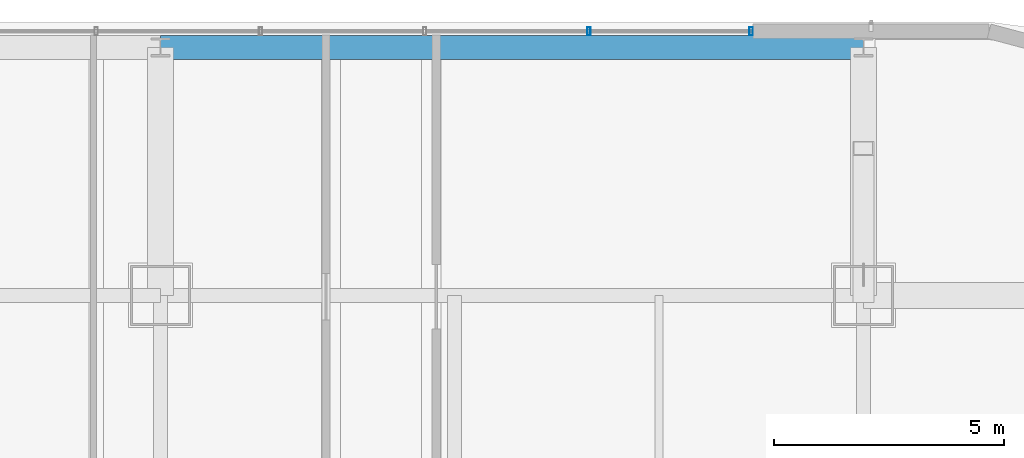
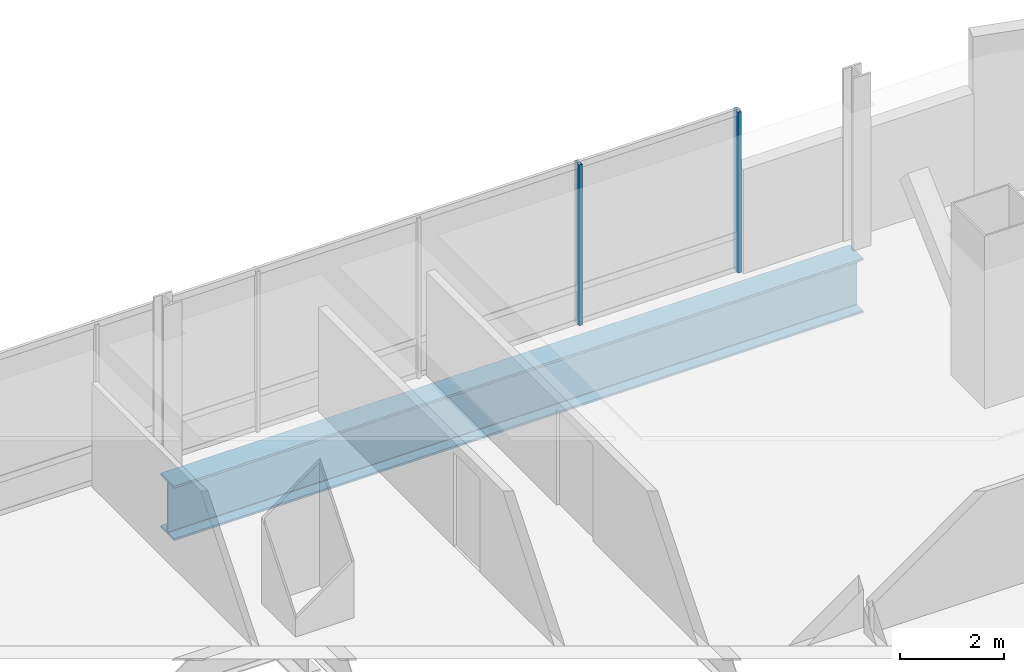
# One storey, part 31 of 51: 2 members, 1 beam, 1 element without a shape of its own.
"""IFC4 building model written with IfcOpenShell, lengths in metres."""

from ifc_helpers import new_model, si_unit, direction, frame, origin, origin_2d, place, context, subcontext, project, spatial, hollow_rectangle, i_section, extrude, material, material_profile, profile_set, type_object, element, aggregate, save


model = new_model("IFC4")

# Units and contexts
model_context = context("Model", 3, precision=1e-05, world=origin(), true_north=direction((0.0, 1.0)))
body_context = subcontext(model_context, "Body", "Model", "MODEL_VIEW")
ifc_project = project(units=[si_unit("LENGTHUNIT", "METRE"), si_unit("AREAUNIT", "SQUARE_METRE"), si_unit("VOLUMEUNIT", "CUBIC_METRE"), si_unit("PLANEANGLEUNIT", "RADIAN"), si_unit("MASSUNIT", "GRAM", prefix="KILO")], contexts=[model_context])

# Site, building, storey
site_placement = place(None, origin())
site = spatial("IfcSite", under=ifc_project, at=site_placement, CompositionType="ELEMENT")
building_placement = place(site_placement, origin())
building = spatial("IfcBuilding", under=site, at=building_placement, Name="Punatoya Terracotta Tower", CompositionType="ELEMENT")
storey_placement = place(building_placement, frame((0.0, 0.0, 279.75)))
storey = spatial("IfcBuildingStorey", under=building, at=storey_placement, Name="L66", CompositionType="ELEMENT", Elevation=279.75)

# Beam
ifc_material_1 = material(Name="Steel S460", Category="steel")
ifc_material_profile_1 = material_profile(ifc_material_1, i_section(OverallWidth=0.52001953125, OverallDepth=1.280029296875, WebThickness=0.031982421875, FlangeThickness=0.050048828125, FilletRadius=0.01806640625, at=origin_2d()))
ifc_profile_set_1 = profile_set([ifc_material_profile_1], Name="Steel S460")
beam_type = type_object("IfcBeamType", Name="BM-TG-NCK", PredefinedType="BEAM", material=ifc_profile_set_1)
beam_placement = place(storey_placement, frame((3.800048828125, 22.89990234375, -0.840087890625), z_axis=(1.0, 0.0, 0.0), x_axis=(0.0, 1.0, 0.0)))
element("IfcBeam", 1, at=beam_placement, inside=storey, type_object=beam_type, Name="BM-L66-PER-N3", PredefinedType="BEAM", context=body_context, shape_type="SweptSolid", body=[
    extrude(i_section(OverallWidth=0.52001953125, OverallDepth=1.280029296875, WebThickness=0.031982421875, FlangeThickness=0.050048828125, FilletRadius=0.01806640625, at=origin_2d()), origin(), (0.0, 0.0, 1.0), 15.300048828125),
])

# Curtain wall, members
ifc_material_2 = material(Name="Aluminium 6063-T6 + Double Low-E Glass", Category="aluminium")
curtain_wall_type = type_object("IfcCurtainWallType", Name="CW-M3", PredefinedType="NOTDEFINED", material=ifc_material_2)
curtain_wall_placement = place(storey_placement, origin())
curtain_wall = element("IfcCurtainWall", 2, at=curtain_wall_placement, inside=storey, type_object=curtain_wall_type, Name="L66 Curtain Wall CW-L66-N09-1", PredefinedType="NOTDEFINED")
ifc_material_3 = material(Name="Aluminium 6063-T6", Category="aluminium")
ifc_material_profile_2 = material_profile(ifc_material_3, hollow_rectangle(XDim=0.070068359375, YDim=0.179931640625, WallThickness=0.00390625, at=origin_2d()))
ifc_profile_set_2 = profile_set([ifc_material_profile_2], Name="Aluminium 6063-T6")
member_type = type_object("IfcMemberType", Name="CW-MUL-M3", PredefinedType="MULLION", material=ifc_profile_set_2)
member_1_placement = place(storey_placement, frame((16.655029296875, 23.25, 0.0), z_axis=(0.0, 0.0, 1.0), x_axis=(1.0, 0.0, 0.0)))
member_1 = element("IfcMember", 3, at=member_1_placement, type_object=member_type, Name="CW-L66-N09-1 Mullion 00", PredefinedType="MULLION", context=body_context, shape_type="SweptSolid", body=[
    extrude(hollow_rectangle(XDim=0.070068359375, YDim=0.179931640625, WallThickness=0.00390625, at=origin_2d()), origin(), (0.0, 0.0, 1.0), 3.77001953125),
])
member_2_placement = place(storey_placement, frame((13.125, 23.25, 0.0), z_axis=(0.0, 0.0, 1.0), x_axis=(1.0, 0.0, 0.0)))
member_2 = element("IfcMember", 4, at=member_2_placement, type_object=member_type, Name="CW-L66-N09-1 Mullion 01", PredefinedType="MULLION", context=body_context, shape_type="SweptSolid", body=[
    extrude(hollow_rectangle(XDim=0.070068359375, YDim=0.179931640625, WallThickness=0.00390625, at=origin_2d()), origin(), (0.0, 0.0, 1.0), 3.77001953125),
])
aggregate(curtain_wall, [member_1, member_2])

save(model, "model.ifc")
